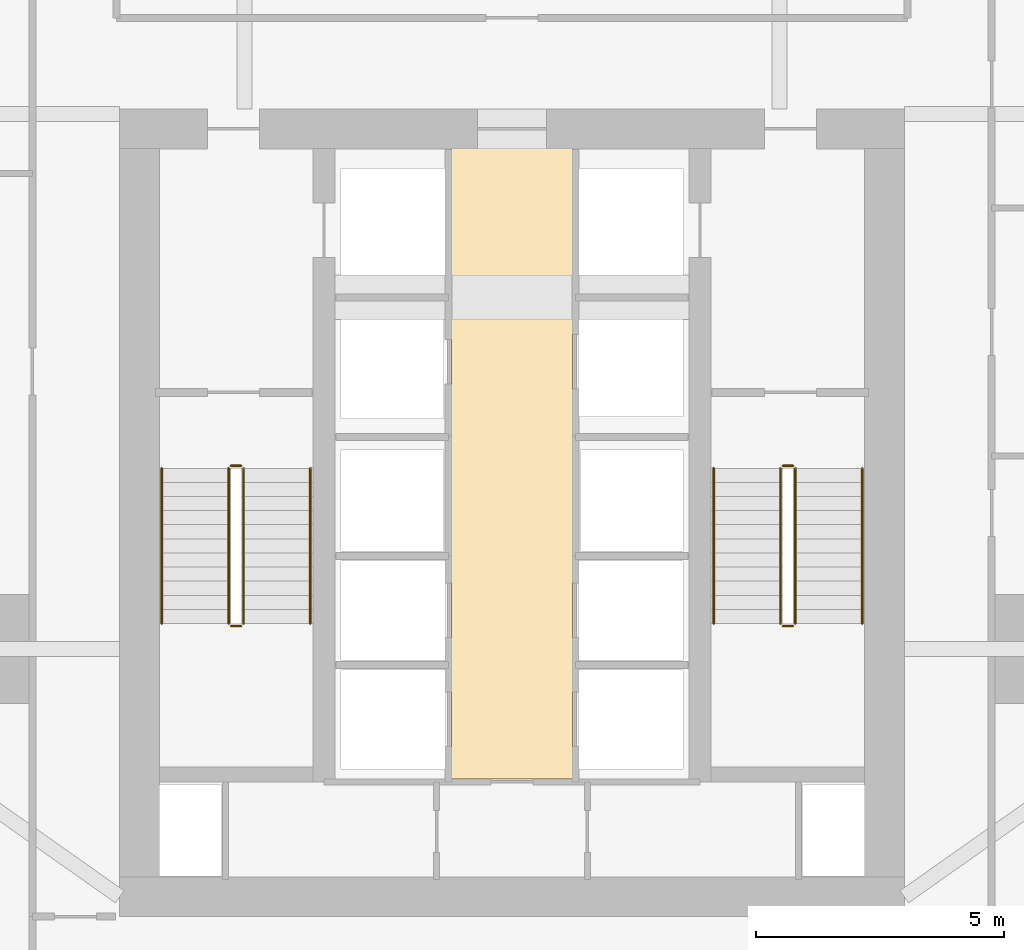
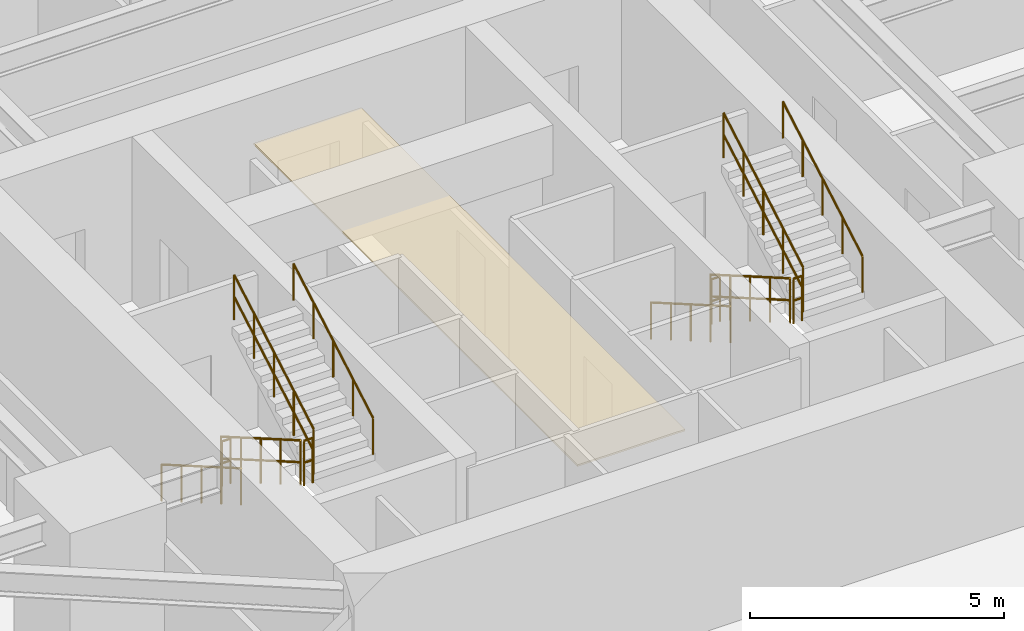
# One storey, part 29 of 30: 12 railings, 1 covering.
"""IFC4 building model written with IfcOpenShell, lengths in metres."""

from ifc_helpers import new_model, si_unit, direction, frame, origin, origin_2d, place, context, subcontext, project, spatial, polyline, circle, outline, extrude, material, layer, layer_set, type_object, element, save


model = new_model("IFC4")

# Units and contexts
model_context = context("Model", 3, precision=1e-05, world=origin(), true_north=direction((0.0, 1.0)))
body_context = subcontext(model_context, "Body", "Model", "MODEL_VIEW")
ifc_project = project(units=[si_unit("LENGTHUNIT", "METRE"), si_unit("AREAUNIT", "SQUARE_METRE"), si_unit("VOLUMEUNIT", "CUBIC_METRE"), si_unit("PLANEANGLEUNIT", "RADIAN"), si_unit("MASSUNIT", "GRAM", prefix="KILO")], contexts=[model_context])

# Site, building, storey
site_placement = place(None, origin())
site = spatial("IfcSite", under=ifc_project, at=site_placement, CompositionType="ELEMENT")
building_placement = place(site_placement, origin())
building = spatial("IfcBuilding", under=site, at=building_placement, Name="Krantzveldt Concourse Tower", CompositionType="ELEMENT")
storey_placement = place(building_placement, frame((0.0, 0.0, 40.800048828125)))
storey = spatial("IfcBuildingStorey", under=building, at=storey_placement, Name="L09", CompositionType="ELEMENT", Elevation=40.800048828125)

# Covering
ifc_material_1 = material(Name="Perforated acoustic mineral-fibre ceiling tile", Category="ceiling")
ifc_layer_1 = layer(ifc_material_1, 0.0400390625, Name="Perforated acoustic mineral-fibre ceiling tile", Category="ceiling")
ifc_layer_set_1 = layer_set([ifc_layer_1], Name="Perforated acoustic mineral-fibre ceiling tile (COV-CEIL-ACOUSTIC)")
covering_type = type_object("IfcCoveringType", Name="COV-CEIL-ACOUSTIC", PredefinedType="CEILING", material=ifc_layer_set_1)
covering_placement = place(storey_placement, frame((0.0, 0.0, 2.75)))
element("IfcCovering", 1, at=covering_placement, inside=storey, type_object=covering_type, Name="CLG-L09-LLB", PredefinedType="CEILING", context=body_context, shape_type="SweptSolid", body=[
    extrude(outline(polyline([(37.22509765625, 13.27490234375), (34.77490234375, 13.27490234375), (34.77490234375, 26.044921875), (37.22509765625, 26.044921875), (37.22509765625, 13.27490234375)])), origin(), (0.0, 0.0, 1.0), 0.0400390625),
])

# Railings
ifc_material_2 = material(Name="Stainless steel 316L", Category="steel")
ifc_layer_2 = layer(ifc_material_2, 0.06005859375, Name="Stainless steel 316L", Category="steel")
ifc_layer_set_2 = layer_set([ifc_layer_2], Name="Stainless steel 316L (RL-GUARD-1120)")
railing_type_1 = type_object("IfcRailingType", Name="RL-GUARD-1120", PredefinedType="GUARDRAIL", material=ifc_layer_set_2)
railing_1_placement = place(storey_placement, frame((30.280029296875, 19.550048828125, 0.16455078125)))
element("IfcRailing", 2, at=railing_1_placement, inside=storey, type_object=railing_type_1, Name="L09 ST-1 stair guard 1", PredefinedType="GUARDRAIL", context=body_context, shape_type="SweptSolid", body=[
    extrude(circle(Radius=0.02392578125, at=origin_2d()), frame((0.0, 0.0, 1.076171875), z_axis=(0.0, -0.865989039225, 0.500062979975), x_axis=(1.0, 0.0, 0.0)), (0.0, 0.0, 1.0), 3.6201171875),
    extrude(circle(Radius=0.02392578125, at=origin_2d()), frame((0.0, 0.0, 0.550048828125), z_axis=(0.0, -0.865989039225, 0.500062979975), x_axis=(1.0, 0.0, 0.0)), (0.0, 0.0, 1.0), 3.6201171875),
    extrude(circle(Radius=0.02099609375, at=origin_2d()), origin(), (0.0, 0.0, 1.0), 1.052001953125),
    extrude(circle(Radius=0.02099609375, at=origin_2d()), frame((0.0, -0.78369140625, 0.45263671875)), (0.0, 0.0, 1.0), 1.052001953125),
    extrude(circle(Radius=0.02099609375, at=origin_2d()), frame((0.0, -1.5673828125, 0.9052734375)), (0.0, 0.0, 1.0), 1.052001953125),
    extrude(circle(Radius=0.02099609375, at=origin_2d()), frame((0.0, -2.351318359375, 1.357666015625)), (0.0, 0.0, 1.0), 1.052001953125),
    extrude(circle(Radius=0.02099609375, at=origin_2d()), frame((0.0, -3.135009765625, 1.810302734375)), (0.0, 0.0, 1.0), 1.052001953125),
])
railing_2_placement = place(storey_placement, frame((30.330078125, 16.364990234375, 1.974853515625)))
element("IfcRailing", 3, at=railing_2_placement, inside=storey, type_object=railing_type_1, Name="L09 ST-1 stair guard 2", PredefinedType="GUARDRAIL", context=body_context, shape_type="SweptSolid", body=[
    extrude(circle(Radius=0.02392578125, at=origin_2d()), frame((0.0, 0.0, 1.076171875), z_axis=(1.0, 0.0, 0.0), x_axis=(0.0, 1.0, 0.0)), (0.0, 0.0, 1.0), 0.199951171875),
    extrude(circle(Radius=0.02392578125, at=origin_2d()), frame((0.0, 0.0, 0.550048828125), z_axis=(1.0, 0.0, 0.0), x_axis=(0.0, 1.0, 0.0)), (0.0, 0.0, 1.0), 0.199951171875),
    extrude(circle(Radius=0.02099609375, at=origin_2d()), origin(), (0.0, 0.0, 1.0), 1.052001953125),
    extrude(circle(Radius=0.02099609375, at=origin_2d()), frame((0.199951171875, 0.0, 0.0)), (0.0, 0.0, 1.0), 1.052001953125),
])
railing_3_placement = place(storey_placement, frame((30.580078125, 16.4150390625, 2.1396484375)))
element("IfcRailing", 4, at=railing_3_placement, inside=storey, type_object=railing_type_1, Name="L09 ST-1 stair guard 3", PredefinedType="GUARDRAIL", context=body_context, shape_type="SweptSolid", body=[
    extrude(circle(Radius=0.02392578125, at=origin_2d()), frame((0.0, 0.0, 1.076171875), z_axis=(0.0, 0.865989039225, 0.500062979975), x_axis=(-1.0, 0.0, 0.0)), (0.0, 0.0, 1.0), 3.6201171875),
    extrude(circle(Radius=0.02392578125, at=origin_2d()), frame((0.0, 0.0, 0.550048828125), z_axis=(0.0, 0.865989039225, 0.500062979975), x_axis=(-1.0, 0.0, 0.0)), (0.0, 0.0, 1.0), 3.6201171875),
    extrude(circle(Radius=0.02099609375, at=origin_2d()), origin(), (0.0, 0.0, 1.0), 1.052001953125),
    extrude(circle(Radius=0.02099609375, at=origin_2d()), frame((0.0, 0.78369140625, 0.45263671875)), (0.0, 0.0, 1.0), 1.052001953125),
    extrude(circle(Radius=0.02099609375, at=origin_2d()), frame((0.0, 1.5673828125, 0.9052734375)), (0.0, 0.0, 1.0), 1.052001953125),
    extrude(circle(Radius=0.02099609375, at=origin_2d()), frame((0.0, 2.351318359375, 1.357666015625)), (0.0, 0.0, 1.0), 1.052001953125),
    extrude(circle(Radius=0.02099609375, at=origin_2d()), frame((0.0, 3.135009765625, 1.810302734375)), (0.0, 0.0, 1.0), 1.052001953125),
])
railing_4_placement = place(storey_placement, frame((30.330078125, 19.60009765625, 0.0)))
element("IfcRailing", 5, at=railing_4_placement, inside=storey, type_object=railing_type_1, Name="L09 ST-1 stair guard 4", PredefinedType="GUARDRAIL", context=body_context, shape_type="SweptSolid", body=[
    extrude(circle(Radius=0.02392578125, at=origin_2d()), frame((0.0, 0.0, 1.076171875), z_axis=(1.0, 0.0, 0.0), x_axis=(0.0, 1.0, 0.0)), (0.0, 0.0, 1.0), 0.199951171875),
    extrude(circle(Radius=0.02392578125, at=origin_2d()), frame((0.0, 0.0, 0.550048828125), z_axis=(1.0, 0.0, 0.0), x_axis=(0.0, 1.0, 0.0)), (0.0, 0.0, 1.0), 0.199951171875),
    extrude(circle(Radius=0.02099609375, at=origin_2d()), origin(), (0.0, 0.0, 1.0), 1.052001953125),
    extrude(circle(Radius=0.02099609375, at=origin_2d()), frame((0.199951171875, 0.0, 0.0)), (0.0, 0.0, 1.0), 1.052001953125),
])
railing_5_placement = place(storey_placement, frame((41.419921875, 19.550048828125, 0.16455078125)))
element("IfcRailing", 6, at=railing_5_placement, inside=storey, type_object=railing_type_1, Name="L09 ST-2 stair guard 1", PredefinedType="GUARDRAIL", context=body_context, shape_type="SweptSolid", body=[
    extrude(circle(Radius=0.02392578125, at=origin_2d()), frame((0.0, 0.0, 1.076171875), z_axis=(0.0, -0.865989039225, 0.500062979975), x_axis=(1.0, 0.0, 0.0)), (0.0, 0.0, 1.0), 3.6201171875),
    extrude(circle(Radius=0.02392578125, at=origin_2d()), frame((0.0, 0.0, 0.550048828125), z_axis=(0.0, -0.865989039225, 0.500062979975), x_axis=(1.0, 0.0, 0.0)), (0.0, 0.0, 1.0), 3.6201171875),
    extrude(circle(Radius=0.02099609375, at=origin_2d()), origin(), (0.0, 0.0, 1.0), 1.052001953125),
    extrude(circle(Radius=0.02099609375, at=origin_2d()), frame((0.0, -0.78369140625, 0.45263671875)), (0.0, 0.0, 1.0), 1.052001953125),
    extrude(circle(Radius=0.02099609375, at=origin_2d()), frame((0.0, -1.5673828125, 0.9052734375)), (0.0, 0.0, 1.0), 1.052001953125),
    extrude(circle(Radius=0.02099609375, at=origin_2d()), frame((0.0, -2.351318359375, 1.357666015625)), (0.0, 0.0, 1.0), 1.052001953125),
    extrude(circle(Radius=0.02099609375, at=origin_2d()), frame((0.0, -3.135009765625, 1.810302734375)), (0.0, 0.0, 1.0), 1.052001953125),
])
railing_6_placement = place(storey_placement, frame((41.469970703125, 16.364990234375, 1.974853515625)))
element("IfcRailing", 7, at=railing_6_placement, inside=storey, type_object=railing_type_1, Name="L09 ST-2 stair guard 2", PredefinedType="GUARDRAIL", context=body_context, shape_type="SweptSolid", body=[
    extrude(circle(Radius=0.02392578125, at=origin_2d()), frame((0.0, 0.0, 1.076171875), z_axis=(1.0, 0.0, 0.0), x_axis=(0.0, 1.0, 0.0)), (0.0, 0.0, 1.0), 0.199951171875),
    extrude(circle(Radius=0.02392578125, at=origin_2d()), frame((0.0, 0.0, 0.550048828125), z_axis=(1.0, 0.0, 0.0), x_axis=(0.0, 1.0, 0.0)), (0.0, 0.0, 1.0), 0.199951171875),
    extrude(circle(Radius=0.02099609375, at=origin_2d()), origin(), (0.0, 0.0, 1.0), 1.052001953125),
    extrude(circle(Radius=0.02099609375, at=origin_2d()), frame((0.199951171875, 0.0, 0.0)), (0.0, 0.0, 1.0), 1.052001953125),
])
railing_7_placement = place(storey_placement, frame((41.719970703125, 16.4150390625, 2.1396484375)))
element("IfcRailing", 8, at=railing_7_placement, inside=storey, type_object=railing_type_1, Name="L09 ST-2 stair guard 3", PredefinedType="GUARDRAIL", context=body_context, shape_type="SweptSolid", body=[
    extrude(circle(Radius=0.02392578125, at=origin_2d()), frame((0.0, 0.0, 1.076171875), z_axis=(0.0, 0.865989039225, 0.500062979975), x_axis=(-1.0, 0.0, 0.0)), (0.0, 0.0, 1.0), 3.6201171875),
    extrude(circle(Radius=0.02392578125, at=origin_2d()), frame((0.0, 0.0, 0.550048828125), z_axis=(0.0, 0.865989039225, 0.500062979975), x_axis=(-1.0, 0.0, 0.0)), (0.0, 0.0, 1.0), 3.6201171875),
    extrude(circle(Radius=0.02099609375, at=origin_2d()), origin(), (0.0, 0.0, 1.0), 1.052001953125),
    extrude(circle(Radius=0.02099609375, at=origin_2d()), frame((0.0, 0.78369140625, 0.45263671875)), (0.0, 0.0, 1.0), 1.052001953125),
    extrude(circle(Radius=0.02099609375, at=origin_2d()), frame((0.0, 1.5673828125, 0.9052734375)), (0.0, 0.0, 1.0), 1.052001953125),
    extrude(circle(Radius=0.02099609375, at=origin_2d()), frame((0.0, 2.351318359375, 1.357666015625)), (0.0, 0.0, 1.0), 1.052001953125),
    extrude(circle(Radius=0.02099609375, at=origin_2d()), frame((0.0, 3.135009765625, 1.810302734375)), (0.0, 0.0, 1.0), 1.052001953125),
])
railing_8_placement = place(storey_placement, frame((41.469970703125, 19.60009765625, 0.0)))
element("IfcRailing", 9, at=railing_8_placement, inside=storey, type_object=railing_type_1, Name="L09 ST-2 stair guard 4", PredefinedType="GUARDRAIL", context=body_context, shape_type="SweptSolid", body=[
    extrude(circle(Radius=0.02392578125, at=origin_2d()), frame((0.0, 0.0, 1.076171875), z_axis=(1.0, 0.0, 0.0), x_axis=(0.0, 1.0, 0.0)), (0.0, 0.0, 1.0), 0.199951171875),
    extrude(circle(Radius=0.02392578125, at=origin_2d()), frame((0.0, 0.0, 0.550048828125), z_axis=(1.0, 0.0, 0.0), x_axis=(0.0, 1.0, 0.0)), (0.0, 0.0, 1.0), 0.199951171875),
    extrude(circle(Radius=0.02099609375, at=origin_2d()), origin(), (0.0, 0.0, 1.0), 1.052001953125),
    extrude(circle(Radius=0.02099609375, at=origin_2d()), frame((0.199951171875, 0.0, 0.0)), (0.0, 0.0, 1.0), 1.052001953125),
])
ifc_layer_3 = layer(ifc_material_2, 0.050048828125, Name="Stainless steel 316L", Category="steel")
ifc_layer_set_3 = layer_set([ifc_layer_3], Name="Stainless steel 316L (RL-HANDRAIL-920)")
railing_type_2 = type_object("IfcRailingType", Name="RL-HANDRAIL-920", PredefinedType="HANDRAIL", material=ifc_layer_set_3)
railing_9_placement = place(storey_placement, frame((28.929931640625, 19.550048828125, 0.16455078125)))
element("IfcRailing", 10, at=railing_9_placement, inside=storey, type_object=railing_type_2, Name="L09 ST-1 stair handrail 1", PredefinedType="HANDRAIL", context=body_context, shape_type="SweptSolid", body=[
    extrude(circle(Radius=0.02392578125, at=origin_2d()), frame((0.0, 0.0, 0.8759765625), z_axis=(0.0, -0.865989039225, 0.500062979975), x_axis=(1.0, 0.0, 0.0)), (0.0, 0.0, 1.0), 3.6201171875),
    extrude(circle(Radius=0.02099609375, at=origin_2d()), origin(), (0.0, 0.0, 1.0), 0.851806640625),
    extrude(circle(Radius=0.02099609375, at=origin_2d()), frame((0.0, -0.78369140625, 0.45263671875)), (0.0, 0.0, 1.0), 0.851806640625),
    extrude(circle(Radius=0.02099609375, at=origin_2d()), frame((0.0, -1.5673828125, 0.9052734375)), (0.0, 0.0, 1.0), 0.851806640625),
    extrude(circle(Radius=0.02099609375, at=origin_2d()), frame((0.0, -2.351318359375, 1.357666015625)), (0.0, 0.0, 1.0), 0.851806640625),
    extrude(circle(Radius=0.02099609375, at=origin_2d()), frame((0.0, -3.135009765625, 1.810302734375)), (0.0, 0.0, 1.0), 0.851806640625),
])
railing_10_placement = place(storey_placement, frame((31.929931640625, 16.4150390625, 2.1396484375)))
element("IfcRailing", 11, at=railing_10_placement, inside=storey, type_object=railing_type_2, Name="L09 ST-1 stair handrail 2", PredefinedType="HANDRAIL", context=body_context, shape_type="SweptSolid", body=[
    extrude(circle(Radius=0.02392578125, at=origin_2d()), frame((0.0, 0.0, 0.8759765625), z_axis=(0.0, 0.865989039225, 0.500062979975), x_axis=(-1.0, 0.0, 0.0)), (0.0, 0.0, 1.0), 3.6201171875),
    extrude(circle(Radius=0.02099609375, at=origin_2d()), origin(), (0.0, 0.0, 1.0), 0.851806640625),
    extrude(circle(Radius=0.02099609375, at=origin_2d()), frame((0.0, 0.78369140625, 0.45263671875)), (0.0, 0.0, 1.0), 0.851806640625),
    extrude(circle(Radius=0.02099609375, at=origin_2d()), frame((0.0, 1.5673828125, 0.9052734375)), (0.0, 0.0, 1.0), 0.851806640625),
    extrude(circle(Radius=0.02099609375, at=origin_2d()), frame((0.0, 2.351318359375, 1.357666015625)), (0.0, 0.0, 1.0), 0.851806640625),
    extrude(circle(Radius=0.02099609375, at=origin_2d()), frame((0.0, 3.135009765625, 1.810302734375)), (0.0, 0.0, 1.0), 0.851806640625),
])
railing_11_placement = place(storey_placement, frame((40.070068359375, 19.550048828125, 0.16455078125)))
element("IfcRailing", 12, at=railing_11_placement, inside=storey, type_object=railing_type_2, Name="L09 ST-2 stair handrail 1", PredefinedType="HANDRAIL", context=body_context, shape_type="SweptSolid", body=[
    extrude(circle(Radius=0.02392578125, at=origin_2d()), frame((0.0, 0.0, 0.8759765625), z_axis=(0.0, -0.865989039225, 0.500062979975), x_axis=(1.0, 0.0, 0.0)), (0.0, 0.0, 1.0), 3.6201171875),
    extrude(circle(Radius=0.02099609375, at=origin_2d()), origin(), (0.0, 0.0, 1.0), 0.851806640625),
    extrude(circle(Radius=0.02099609375, at=origin_2d()), frame((0.0, -0.78369140625, 0.45263671875)), (0.0, 0.0, 1.0), 0.851806640625),
    extrude(circle(Radius=0.02099609375, at=origin_2d()), frame((0.0, -1.5673828125, 0.9052734375)), (0.0, 0.0, 1.0), 0.851806640625),
    extrude(circle(Radius=0.02099609375, at=origin_2d()), frame((0.0, -2.351318359375, 1.357666015625)), (0.0, 0.0, 1.0), 0.851806640625),
    extrude(circle(Radius=0.02099609375, at=origin_2d()), frame((0.0, -3.135009765625, 1.810302734375)), (0.0, 0.0, 1.0), 0.851806640625),
])
railing_12_placement = place(storey_placement, frame((43.070068359375, 16.4150390625, 2.1396484375)))
element("IfcRailing", 13, at=railing_12_placement, inside=storey, type_object=railing_type_2, Name="L09 ST-2 stair handrail 2", PredefinedType="HANDRAIL", context=body_context, shape_type="SweptSolid", body=[
    extrude(circle(Radius=0.02392578125, at=origin_2d()), frame((0.0, 0.0, 0.8759765625), z_axis=(0.0, 0.865989039225, 0.500062979975), x_axis=(-1.0, 0.0, 0.0)), (0.0, 0.0, 1.0), 3.6201171875),
    extrude(circle(Radius=0.02099609375, at=origin_2d()), origin(), (0.0, 0.0, 1.0), 0.851806640625),
    extrude(circle(Radius=0.02099609375, at=origin_2d()), frame((0.0, 0.78369140625, 0.45263671875)), (0.0, 0.0, 1.0), 0.851806640625),
    extrude(circle(Radius=0.02099609375, at=origin_2d()), frame((0.0, 1.5673828125, 0.9052734375)), (0.0, 0.0, 1.0), 0.851806640625),
    extrude(circle(Radius=0.02099609375, at=origin_2d()), frame((0.0, 2.351318359375, 1.357666015625)), (0.0, 0.0, 1.0), 0.851806640625),
    extrude(circle(Radius=0.02099609375, at=origin_2d()), frame((0.0, 3.135009765625, 1.810302734375)), (0.0, 0.0, 1.0), 0.851806640625),
])

save(model, "model.ifc")
